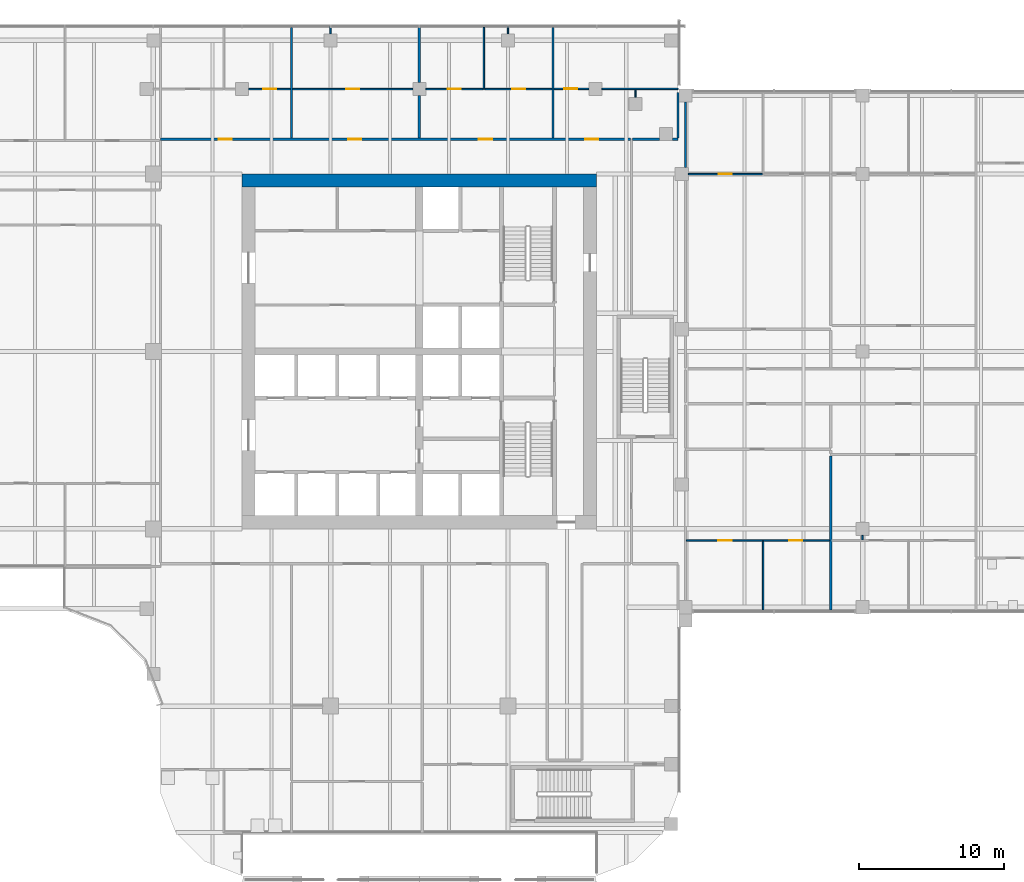
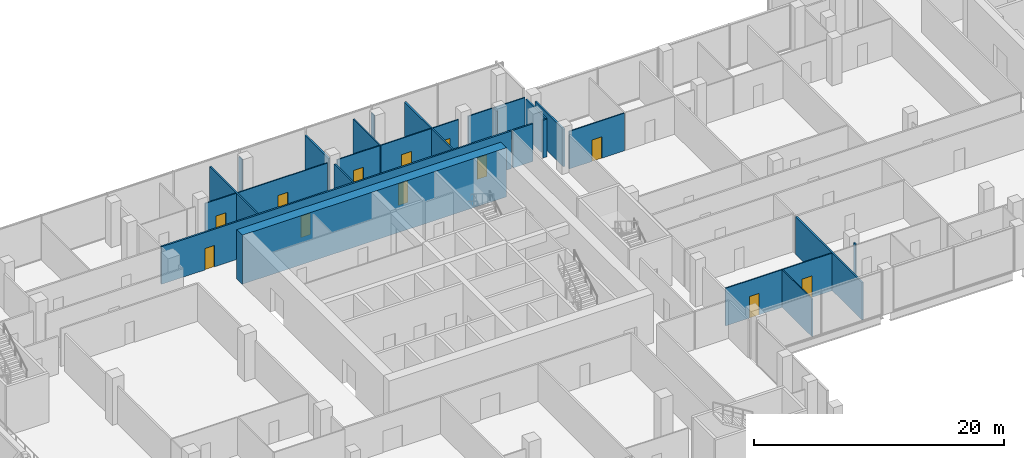
# One storey, part 25 of 33: 26 walls, 12 doors, 12 openings.
"""IFC4 building model written with IfcOpenShell, lengths in metres."""

import ifcopenshell
import ifcopenshell.guid

model = None  # the IFC model being written
_history = None  # IfcOwnerHistory: only IFC2X3 demands one
_inside = {}  # id of a spatial element -> (the spatial element, [elements in it])
_under = {}  # id of a project, library or spatial element -> (it, [spatial elements below it])
_declared = {}  # id of a project -> (the project, [libraries it declares])
_typed = {}  # id of a type object -> (the type object, [elements of that type])
_made_of = {}  # id of a material, layer set ... -> (it, [elements and type objects made of it])


def new_model(schema):
    """Start an empty IFC model of exactly this schema.

    Asked for "IFC4X3", IfcOpenShell would pick the latest addendum, in which some entities
    have other attributes; the version numbers below select the first issue.
    IFC2X3 requires an IfcOwnerHistory on every rooted entity: one is made here for all.
    """
    global model, _history
    if schema == "IFC4X3":
        model = ifcopenshell.file(schema_version=(4, 3, 0, 0))
    else:
        model = ifcopenshell.file(schema=schema)
    _inside.clear()
    _under.clear()
    _declared.clear()
    _typed.clear()
    _made_of.clear()
    _history = None
    if model.schema == "IFC2X3":
        org = make("IfcOrganization", Name="unknown")
        user = make(
            "IfcPersonAndOrganization",
            ThePerson=make("IfcPerson", FamilyName="unknown"),
            TheOrganization=org,
        )
        app = make(
            "IfcApplication",
            ApplicationDeveloper=org,
            Version="unknown",
            ApplicationFullName="unknown",
            ApplicationIdentifier="unknown",
        )
        _history = make(
            "IfcOwnerHistory",
            OwningUser=user,
            OwningApplication=app,
            ChangeAction="ADDED",
            CreationDate=0,
        )
    return model


def make(cls, **values):
    """One entity of the class cls with the attributes given. An attribute that is None is left unset."""
    return model.create_entity(
        cls, **{name: value for name, value in values.items() if value is not None}
    )


def rooted(cls, **values):
    """An entity with a GlobalId (a new one), such as an element, a storey or a relation."""
    return make(cls, GlobalId=ifcopenshell.guid.new(), OwnerHistory=_history, **values)


def si_unit(unit_type, name, prefix=None):
    """IfcSIUnit, for example si_unit("LENGTHUNIT", "METRE", prefix="MILLI")."""
    return make("IfcSIUnit", UnitType=unit_type, Prefix=prefix, Name=name)


def assignment(units):
    """IfcUnitAssignment: the units of a project."""
    return None if units is None else make("IfcUnitAssignment", Units=units)


def point(xyz):
    """IfcCartesianPoint."""
    return None if xyz is None else make("IfcCartesianPoint", Coordinates=xyz)


def direction(xyz):
    """IfcDirection."""
    return None if xyz is None else make("IfcDirection", DirectionRatios=xyz)


def frame(location, z_axis=None, x_axis=None):
    """IfcAxis2Placement3D, a coordinate frame: its origin and axes. An axis left out is left unset."""
    return make(
        "IfcAxis2Placement3D",
        Location=point(location),
        Axis=direction(z_axis),
        RefDirection=direction(x_axis),
    )


def frame_2d(location, x_axis=None):
    """IfcAxis2Placement2D, a coordinate frame in the plane: its origin and x axis."""
    return make(
        "IfcAxis2Placement2D", Location=point(location), RefDirection=direction(x_axis)
    )


def origin():
    """The frame at (0, 0, 0) with its axes left unset."""
    return frame((0.0, 0.0, 0.0))


def place(relative_to, where):
    """IfcLocalPlacement: puts the frame where relative to a parent placement (None: the world)."""
    return make(
        "IfcLocalPlacement", PlacementRelTo=relative_to, RelativePlacement=where
    )


def context(
    kind, dimensions, precision=None, world=None, true_north=None, identifier=None
):
    """IfcGeometricRepresentationContext, for example the 3D "Model" context."""
    return make(
        "IfcGeometricRepresentationContext",
        ContextIdentifier=identifier,
        ContextType=kind,
        CoordinateSpaceDimension=dimensions,
        Precision=precision,
        WorldCoordinateSystem=world,
        TrueNorth=true_north,
    )


def subcontext(parent, identifier, kind, view, scale=None):
    """IfcGeometricRepresentationSubContext, for example "Body" below "Model"."""
    return make(
        "IfcGeometricRepresentationSubContext",
        ContextIdentifier=identifier,
        ContextType=kind,
        ParentContext=parent,
        TargetScale=scale,
        TargetView=view,
    )


def project(units=None, contexts=None):
    """IfcProject with its units and contexts."""
    return rooted(
        "IfcProject",
        Name="project",
        RepresentationContexts=contexts,
        UnitsInContext=assignment(units),
    )


def spatial(cls, under=None, at=None, **own):
    """A site, building, storey or space (cls), placed at a placement, below another one or the project."""
    s = rooted(cls, ObjectPlacement=at, **own)
    if under is not None:
        _under.setdefault(under.id(), (under, []))[1].append(s)
    return s


def profile(cls, at=None, kind="AREA", **sizes):
    """A parametric profile (cls). Its sizes go by their IFC names, for example OverallWidth=200.0."""
    return make(cls, ProfileType=kind, Position=at, **sizes)


def rectangle(**sizes):
    """IfcRectangleProfileDef."""
    return profile("IfcRectangleProfileDef", **sizes)


def extrude(swept, where, along, depth):
    """IfcExtrudedAreaSolid: the profile swept, set in the frame where, extruded along a direction by depth."""
    return make(
        "IfcExtrudedAreaSolid",
        SweptArea=swept,
        Position=where,
        ExtrudedDirection=direction(along),
        Depth=depth,
    )


def shape(context_of_items, identifier, shape_type, items):
    """IfcShapeRepresentation: the items that make up one representation, for example the "Body"."""
    return make(
        "IfcShapeRepresentation",
        ContextOfItems=context_of_items,
        RepresentationIdentifier=identifier,
        RepresentationType=shape_type,
        Items=items,
    )


def source(mapping_origin, context_of_items, identifier, shape_type, items):
    """IfcRepresentationMap: a shape defined once, which mapped items show again and again."""
    return make(
        "IfcRepresentationMap",
        MappingOrigin=mapping_origin,
        MappedRepresentation=shape(context_of_items, identifier, shape_type, items),
    )


def transform(
    local_origin,
    x_axis=None,
    y_axis=None,
    z_axis=None,
    scale=None,
    scale2=None,
    scale3=None,
    uniform=True,
):
    """IfcCartesianTransformationOperator3D, or its non-uniform kind. x_axis, y_axis, z_axis: its Axis1, 2, 3."""
    if uniform:
        return make(
            "IfcCartesianTransformationOperator3D",
            Axis1=direction(x_axis),
            Axis2=direction(y_axis),
            LocalOrigin=point(local_origin),
            Scale=scale,
            Axis3=direction(z_axis),
        )
    return make(
        "IfcCartesianTransformationOperator3DnonUniform",
        Axis1=direction(x_axis),
        Axis2=direction(y_axis),
        LocalOrigin=point(local_origin),
        Scale=scale,
        Axis3=direction(z_axis),
        Scale2=scale2,
        Scale3=scale3,
    )


def mapped(mapping_source, mapping_target):
    """IfcMappedItem: shows the shape of a source again, moved by a transform."""
    return make(
        "IfcMappedItem", MappingSource=mapping_source, MappingTarget=mapping_target
    )


def material(Name=None, Category=None):
    """IfcMaterial."""
    return make("IfcMaterial", Name=Name, Category=Category)


def layer(
    of_material, thickness, ventilated=None, Name=None, Category=None, Priority=None
):
    """IfcMaterialLayer: one layer of a wall or slab, of a material (None: an air gap)."""
    return make(
        "IfcMaterialLayer",
        Material=of_material,
        LayerThickness=thickness,
        IsVentilated=ventilated,
        Name=Name,
        Category=Category,
        Priority=Priority,
    )


def layer_set(layers, Name=None):
    """IfcMaterialLayerSet."""
    return make("IfcMaterialLayerSet", MaterialLayers=layers, LayerSetName=Name)


def made_of(thing, what):
    """Note that an element or type object is made of a material, layer set ...; save() writes the relation."""
    if what is not None:
        _made_of.setdefault(what.id(), (what, []))[1].append(thing)
    return thing


def type_object(cls, material=None, **own):
    """A type object (cls), such as IfcWallType, which elements share."""
    return made_of(rooted(cls, **own), material)


def element(
    cls,
    number,
    at=None,
    inside=None,
    cuts=None,
    type_object=None,
    material=None,
    context=None,
    identifier="Body",
    shape_type=None,
    held_by="IfcProductDefinitionShape",
    body=None,
    shapes=None,
    **own,
):
    """One element of the class cls, such as IfcWall. Its Tag is "e" and its number.

    at: its placement. inside: the storey or other place that contains it. cuts: it is an
    opening in that element (IfcRelVoidsElement). A single representation is given by context,
    identifier, shape_type and body (its items); several are given by shapes. held_by: the class
    of the entity that holds the representations. save() writes the other relations.
    """
    e = rooted(cls, Tag="e%d" % number, ObjectPlacement=at, **own)
    if body is not None:
        shapes = [shape(context, identifier, shape_type, body)]
    if shapes is not None:
        e.Representation = make(held_by, Representations=shapes)
    if inside is not None:
        _inside.setdefault(inside.id(), (inside, []))[1].append(e)
    if cuts is not None:
        rooted(
            "IfcRelVoidsElement", RelatingBuildingElement=cuts, RelatedOpeningElement=e
        )
    if type_object is not None:
        _typed.setdefault(type_object.id(), (type_object, []))[1].append(e)
    return made_of(e, material)


def fill(opening, filler):
    """IfcRelFillsElement: the door or window that sits in an opening."""
    return rooted(
        "IfcRelFillsElement",
        RelatingOpeningElement=opening,
        RelatedBuildingElement=filler,
    )


def aggregate(whole, parts):
    """IfcRelAggregates: a whole, such as a stair, and the parts it consists of."""
    return rooted("IfcRelAggregates", RelatingObject=whole, RelatedObjects=parts)


def save(model, path):
    """Write the relations noted so far, then the file.

    IfcRelAggregates (storeys below a building ...), IfcRelContainedInSpatialStructure (elements
    in a storey), IfcRelDefinesByType, IfcRelAssociatesMaterial and IfcRelDeclares: one each for
    every whole, place, type object, material and project.
    """
    for whole, parts in _under.values():
        aggregate(whole, parts)
    for where, things in _inside.values():
        rooted(
            "IfcRelContainedInSpatialStructure",
            RelatedElements=things,
            RelatingStructure=where,
        )
    for kind, things in _typed.values():
        rooted("IfcRelDefinesByType", RelatedObjects=things, RelatingType=kind)
    for what, things in _made_of.values():
        rooted("IfcRelAssociatesMaterial", RelatedObjects=things, RelatingMaterial=what)
    for by, libraries in _declared.values():
        rooted("IfcRelDeclares", RelatingContext=by, RelatedDefinitions=libraries)
    model.write(path)


model = new_model("IFC4")

# Units and contexts
model_context = context("Model", 3, precision=1e-05, world=origin(), true_north=direction((0.0, 1.0)))
body_context = subcontext(model_context, "Body", "Model", "MODEL_VIEW")
ifc_project = project(units=[si_unit("LENGTHUNIT", "METRE"), si_unit("AREAUNIT", "SQUARE_METRE"), si_unit("VOLUMEUNIT", "CUBIC_METRE"), si_unit("PLANEANGLEUNIT", "RADIAN"), si_unit("MASSUNIT", "GRAM", prefix="KILO")], contexts=[model_context])

# Site, building, storey
site_placement = place(None, origin())
site = spatial("IfcSite", under=ifc_project, at=site_placement, CompositionType="ELEMENT")
building_placement = place(site_placement, origin())
building = spatial("IfcBuilding", under=site, at=building_placement, Name="Tessera Gate Towers", CompositionType="ELEMENT")
storey_placement = place(building_placement, frame((0.0, 0.0, 12.0)))
storey = spatial("IfcBuildingStorey", under=building, at=storey_placement, Name="L02", CompositionType="ELEMENT", Elevation=12.0)

# Wall
ifc_material_1 = material(Name="Concrete C70/85", Category="concrete")
ifc_layer_1 = layer(ifc_material_1, 0.89990234375)
ifc_layer_set_1 = layer_set([ifc_layer_1], Name="CORE SHEAR WALL 900 C70/85")
wall_type_1 = type_object("IfcWallType", Name="CORE SHEAR WALL 900 C70/85", PredefinedType="SHEAR", material=ifc_layer_set_1)
wall_1_placement = place(storey_placement, frame((30.5, 48.35009765625, 0.0), z_axis=(0.0, 0.0, 1.0), x_axis=(1.0, 0.0, 0.0)))
element("IfcWall", 1, at=wall_1_placement, inside=storey, type_object=wall_type_1, Name="Core wall N L02", PredefinedType="SHEAR", context=body_context, shape_type="SweptSolid", body=[
    extrude(rectangle(XDim=24.39990234375, YDim=0.89990234375, at=frame_2d((12.199951171875, 0.0))), origin(), (0.0, 0.0, 1.0), 4.800048828125),
])

# Wall, openings, doors
ifc_material_2 = material(Name="Gypsum board on steel studs, mineral wool", Category="steel")
ifc_layer_2 = layer(ifc_material_2, 0.14990234375)
ifc_layer_set_2 = layer_set([ifc_layer_2], Name="CORRIDOR WALL 150")
wall_type_2 = type_object("IfcWallType", Name="CORRIDOR WALL 150", PredefinedType="PARTITIONING", material=ifc_layer_set_2)
wall_2_placement = place(storey_placement, frame((24.89990234375, 51.199951171875, 0.0), z_axis=(0.0, 0.0, 1.0), x_axis=(1.0, 0.0, 0.0)))
wall_2 = element("IfcWall", 2, at=wall_2_placement, inside=storey, type_object=wall_type_2, Name="PODIUM-L02-PW-107", PredefinedType="PARTITIONING", context=body_context, shape_type="SweptSolid", body=[
    extrude(rectangle(XDim=32.32421875, YDim=0.14990234375, at=frame_2d((16.162109375, 0.0))), origin(), (0.0, 0.0, 1.0), 3.672119140625),
])
shared_shape_1 = source(origin(), body_context, "Body", "SweptSolid", [
    extrude(rectangle(XDim=0.89990234375, YDim=2.10009765625, at=frame_2d((0.449951171875, 1.050048828125))), frame((0.0, 0.0849609375, 0.0), z_axis=(0.0, -1.0, 0.0), x_axis=(1.0, 0.0, 0.0)), (0.0, 0.0, 1.0), 0.169921875),
])
opening_1_placement = place(wall_2_placement, frame((29.200927734375, 0.0, 0.0)))
opening_1 = element("IfcOpeningElement", 3, at=opening_1_placement, cuts=wall_2, Name="Opening D890FD60-P03-01", PredefinedType="OPENING", context=body_context, shape_type="MappedRepresentation", body=[
    mapped(shared_shape_1, transform((0.0, 0.0, 0.0), scale=1.0)),
])
opening_2_placement = place(wall_2_placement, frame((12.90087890625, 0.0, 0.0)))
opening_2 = element("IfcOpeningElement", 4, at=opening_2_placement, cuts=wall_2, Name="Opening D890FD60-P03-02", PredefinedType="OPENING", context=body_context, shape_type="MappedRepresentation", body=[
    mapped(shared_shape_1, transform((0.0, 0.0, 0.0), scale=1.0)),
])
opening_3_placement = place(wall_2_placement, frame((4.0, 0.0, 0.0)))
opening_3 = element("IfcOpeningElement", 5, at=opening_3_placement, cuts=wall_2, Name="Opening D890FD60-P03-04", PredefinedType="OPENING", context=body_context, shape_type="MappedRepresentation", body=[
    mapped(shared_shape_1, transform((0.0, 0.0, 0.0), scale=1.0)),
])
opening_4_placement = place(wall_2_placement, frame((21.89990234375, 0.0, 0.0)))
opening_4 = element("IfcOpeningElement", 6, at=opening_4_placement, cuts=wall_2, Name="Opening D890FD60-P03-05", PredefinedType="OPENING", context=body_context, shape_type="MappedRepresentation", body=[
    mapped(shared_shape_1, transform((0.0, 0.0, 0.0), scale=1.0)),
])
ifc_material_3 = material(Name="Timber door leaf in steel frame", Category="steel")
door_type_1 = type_object("IfcDoorType", Name="CORRIDOR DOOR 900 FD60", OperationType="NOTDEFINED", PredefinedType="DOOR", material=ifc_material_3)
shared_shape_2 = source(origin(), body_context, "Body", "SweptSolid", [
    extrude(rectangle(XDim=0.89990234375, YDim=2.10009765625, at=frame_2d((0.449951171875, 1.050048828125))), frame((0.0, 0.02490234375, 0.0), z_axis=(0.0, -1.0, 0.0), x_axis=(1.0, 0.0, 0.0)), (0.0, 0.0, 1.0), 0.050048828125),
])
door_1_placement = place(opening_1_placement, origin())
door_1 = element("IfcDoor", 7, at=door_1_placement, inside=storey, type_object=door_type_1, Name="PODIUM-L02-PD-026", OperationType="SINGLE_SWING_LEFT", OverallHeight=2.10009765625, OverallWidth=0.89990234375, PredefinedType="DOOR", context=body_context, shape_type="MappedRepresentation", body=[
    mapped(shared_shape_2, transform((0.0, 0.0, 0.0), scale=1.0)),
])
fill(opening_1, door_1)
door_2_placement = place(opening_2_placement, origin())
door_2 = element("IfcDoor", 8, at=door_2_placement, inside=storey, type_object=door_type_1, Name="PODIUM-L02-PD-036", OperationType="SINGLE_SWING_LEFT", OverallHeight=2.10009765625, OverallWidth=0.89990234375, PredefinedType="DOOR", context=body_context, shape_type="MappedRepresentation", body=[
    mapped(shared_shape_2, transform((0.0, 0.0, 0.0), scale=1.0)),
])
fill(opening_2, door_2)
door_3_placement = place(opening_3_placement, origin())
door_3 = element("IfcDoor", 9, at=door_3_placement, inside=storey, type_object=door_type_1, Name="PODIUM-L02-PD-042", OperationType="SINGLE_SWING_LEFT", OverallHeight=2.10009765625, OverallWidth=0.89990234375, PredefinedType="DOOR", context=body_context, shape_type="MappedRepresentation", body=[
    mapped(shared_shape_2, transform((0.0, 0.0, 0.0), scale=1.0)),
])
fill(opening_3, door_3)
door_4_placement = place(opening_4_placement, origin())
door_4 = element("IfcDoor", 10, at=door_4_placement, inside=storey, type_object=door_type_1, Name="PODIUM-L02-PD-043", OperationType="SINGLE_SWING_LEFT", OverallHeight=2.10009765625, OverallWidth=0.89990234375, PredefinedType="DOOR", context=body_context, shape_type="MappedRepresentation", body=[
    mapped(shared_shape_2, transform((0.0, 0.0, 0.0), scale=1.0)),
])
fill(opening_4, door_4)

# Wall, opening, door
ifc_material_4 = material(Name="Glass", Category="glass")
ifc_layer_3 = layer(ifc_material_4, 0.10009765625)
ifc_layer_set_3 = layer_set([ifc_layer_3], Name="GLAZED PARTITION 100")
wall_type_3 = type_object("IfcWallType", Name="GLAZED PARTITION 100", PredefinedType="PARTITIONING", material=ifc_layer_set_3)
wall_3_placement = place(storey_placement, frame((30.950927734375, 54.64990234375, 0.0), z_axis=(0.0, 0.0, 1.0), x_axis=(1.0, 0.0, 0.0)))
wall_3 = element("IfcWall", 11, at=wall_3_placement, inside=storey, type_object=wall_type_3, Name="PODIUM-L02-PW-126", PredefinedType="PARTITIONING", context=body_context, shape_type="SweptSolid", body=[
    extrude(rectangle(XDim=2.873046875, YDim=0.10009765625, at=frame_2d((1.4365234375, 0.0))), origin(), (0.0, 0.0, 1.0), 3.672119140625),
])
shared_shape_3 = source(origin(), body_context, "Body", "SweptSolid", [
    extrude(rectangle(XDim=0.89990234375, YDim=2.10009765625, at=frame_2d((0.449951171875, 1.050048828125))), frame((0.0, 0.06005859375, 0.0), z_axis=(0.0, -1.0, 0.0), x_axis=(1.0, 0.0, 0.0)), (0.0, 0.0, 1.0), 0.1201171875),
])
opening_5_placement = place(wall_3_placement, frame((1.0, 0.0, 0.0)))
opening_5 = element("IfcOpeningElement", 12, at=opening_5_placement, cuts=wall_3, Name="Opening D690-P03-01", PredefinedType="OPENING", context=body_context, shape_type="MappedRepresentation", body=[
    mapped(shared_shape_3, transform((0.0, 0.0, 0.0), scale=1.0)),
])
ifc_material_5 = material(Name="Glass in aluminium frame", Category="aluminium")
door_type_2 = type_object("IfcDoorType", Name="GLAZED DOOR 900 NOT RATED", OperationType="NOTDEFINED", PredefinedType="DOOR", material=ifc_material_5)
door_5_placement = place(opening_5_placement, origin())
door_5 = element("IfcDoor", 13, at=door_5_placement, inside=storey, type_object=door_type_2, Name="PODIUM-L02-PD-002", OperationType="SINGLE_SWING_LEFT", OverallHeight=2.10009765625, OverallWidth=0.89990234375, PredefinedType="DOOR", context=body_context, shape_type="MappedRepresentation", body=[
    mapped(shared_shape_2, transform((0.0, 0.0, 0.0), scale=1.0)),
])
fill(opening_5, door_5)

wall_4_placement = place(storey_placement, frame((33.97607421875, 54.64990234375, 0.0), z_axis=(0.0, 0.0, 1.0), x_axis=(1.0, 0.0, 0.0)))
wall_4 = element("IfcWall", 14, at=wall_4_placement, inside=storey, type_object=wall_type_3, Name="PODIUM-L02-PW-127", PredefinedType="PARTITIONING", context=body_context, shape_type="SweptSolid", body=[
    extrude(rectangle(XDim=8.27294921875, YDim=0.10009765625, at=frame_2d((4.136474609375, 0.0))), origin(), (0.0, 0.0, 1.0), 3.672119140625),
])
opening_6_placement = place(wall_4_placement, frame((3.699951171875, 0.0, 0.0)))
opening_6 = element("IfcOpeningElement", 15, at=opening_6_placement, cuts=wall_4, Name="Opening D690-P03-12", PredefinedType="OPENING", context=body_context, shape_type="MappedRepresentation", body=[
    mapped(shared_shape_3, transform((0.0, 0.0, 0.0), scale=1.0)),
])
door_6_placement = place(opening_6_placement, origin())
door_6 = element("IfcDoor", 16, at=door_6_placement, inside=storey, type_object=door_type_2, Name="PODIUM-L02-PD-035", OperationType="SINGLE_SWING_LEFT", OverallHeight=2.10009765625, OverallWidth=0.89990234375, PredefinedType="DOOR", context=body_context, shape_type="MappedRepresentation", body=[
    mapped(shared_shape_2, transform((0.0, 0.0, 0.0), scale=1.0)),
])
fill(opening_6, door_6)

wall_5_placement = place(storey_placement, frame((43.15087890625, 54.64990234375, 0.0), z_axis=(0.0, 0.0, 1.0), x_axis=(1.0, 0.0, 0.0)))
wall_5 = element("IfcWall", 17, at=wall_5_placement, inside=storey, type_object=wall_type_3, Name="PODIUM-L02-PW-128", PredefinedType="PARTITIONING", context=body_context, shape_type="SweptSolid", body=[
    extrude(rectangle(XDim=3.942626953125, YDim=0.10009765625, at=frame_2d((1.97119140625, 0.0))), origin(), (0.0, 0.0, 1.0), 3.672119140625),
])
opening_7_placement = place(wall_5_placement, frame((1.5, 0.0, 0.0)))
opening_7 = element("IfcOpeningElement", 18, at=opening_7_placement, cuts=wall_5, Name="Opening D690-P03-03", PredefinedType="OPENING", context=body_context, shape_type="MappedRepresentation", body=[
    mapped(shared_shape_3, transform((0.0, 0.0, 0.0), scale=1.0)),
])
door_7_placement = place(opening_7_placement, origin())
door_7 = element("IfcDoor", 19, at=door_7_placement, inside=storey, type_object=door_type_2, Name="PODIUM-L02-PD-004", OperationType="SINGLE_SWING_LEFT", OverallHeight=2.10009765625, OverallWidth=0.89990234375, PredefinedType="DOOR", context=body_context, shape_type="MappedRepresentation", body=[
    mapped(shared_shape_2, transform((0.0, 0.0, 0.0), scale=1.0)),
])
fill(opening_7, door_7)

wall_6_placement = place(storey_placement, frame((47.1953125, 54.64990234375, 0.0), z_axis=(0.0, 0.0, 1.0), x_axis=(1.0, 0.0, 0.0)))
wall_6 = element("IfcWall", 20, at=wall_6_placement, inside=storey, type_object=wall_type_3, Name="PODIUM-L02-PW-130", PredefinedType="PARTITIONING", context=body_context, shape_type="SweptSolid", body=[
    extrude(rectangle(XDim=4.628662109375, YDim=0.10009765625, at=frame_2d((2.314453125, 0.0))), origin(), (0.0, 0.0, 1.0), 3.672119140625),
])
opening_8_placement = place(wall_6_placement, frame((1.89990234375, 0.0, 0.0)))
opening_8 = element("IfcOpeningElement", 21, at=opening_8_placement, cuts=wall_6, Name="Opening D690-P03-07", PredefinedType="OPENING", context=body_context, shape_type="MappedRepresentation", body=[
    mapped(shared_shape_3, transform((0.0, 0.0, 0.0), scale=1.0)),
])
door_8_placement = place(opening_8_placement, origin())
door_8 = element("IfcDoor", 22, at=door_8_placement, inside=storey, type_object=door_type_2, Name="PODIUM-L02-PD-019", OperationType="SINGLE_SWING_LEFT", OverallHeight=2.10009765625, OverallWidth=0.89990234375, PredefinedType="DOOR", context=body_context, shape_type="MappedRepresentation", body=[
    mapped(shared_shape_2, transform((0.0, 0.0, 0.0), scale=1.0)),
])
fill(opening_8, door_8)

wall_7_placement = place(storey_placement, frame((51.97607421875, 54.6669921875, 0.0), z_axis=(0.0, 0.0, 1.0), x_axis=(1.0, 0.0, 0.0)))
wall_7 = element("IfcWall", 23, at=wall_7_placement, inside=storey, type_object=wall_type_3, Name="PODIUM-L02-PW-132", PredefinedType="PARTITIONING", context=body_context, shape_type="SweptSolid", body=[
    extrude(rectangle(XDim=2.3828125, YDim=0.10009765625, at=frame_2d((1.19140625, 0.0))), origin(), (0.0, 0.0, 1.0), 3.672119140625),
])
opening_9_placement = place(wall_7_placement, frame((0.699951171875, 0.0, 0.0)))
opening_9 = element("IfcOpeningElement", 24, at=opening_9_placement, cuts=wall_7, Name="Opening D690-P03-11", PredefinedType="OPENING", context=body_context, shape_type="MappedRepresentation", body=[
    mapped(shared_shape_3, transform((0.0, 0.0, 0.0), scale=1.0)),
])
door_9_placement = place(opening_9_placement, origin())
door_9 = element("IfcDoor", 25, at=door_9_placement, inside=storey, type_object=door_type_2, Name="PODIUM-L02-PD-034", OperationType="SINGLE_SWING_LEFT", OverallHeight=2.10009765625, OverallWidth=0.89990234375, PredefinedType="DOOR", context=body_context, shape_type="MappedRepresentation", body=[
    mapped(shared_shape_2, transform((0.0, 0.0, 0.0), scale=1.0)),
])
fill(opening_9, door_9)

# Walls
wall_8_placement = place(storey_placement, frame((55.260986328125, 54.6669921875, 0.0), z_axis=(0.0, 0.0, 1.0), x_axis=(1.0, 0.0, 0.0)))
element("IfcWall", 26, at=wall_8_placement, inside=storey, type_object=wall_type_3, Name="PODIUM-L02-PW-133", PredefinedType="PARTITIONING", context=body_context, shape_type="SweptSolid", body=[
    extrude(rectangle(XDim=5.239013671875, YDim=0.10009765625, at=frame_2d((2.61962890625, 0.0))), origin(), (0.0, 0.0, 1.0), 3.672119140625),
])
ifc_material_6 = material(Name="Gypsum board on steel studs", Category="steel")
ifc_layer_4 = layer(ifc_material_6, 0.10009765625)
ifc_layer_set_4 = layer_set([ifc_layer_4], Name="PARTITION 100")
wall_type_4 = type_object("IfcWallType", Name="PARTITION 100", PredefinedType="PARTITIONING", material=ifc_layer_set_4)
wall_9_placement = place(storey_placement, frame((66.35009765625, 18.800048828125, 0.0), z_axis=(0.0, 0.0, 1.0), x_axis=(0.0, 1.0, 0.0)))
element("IfcWall", 27, at=wall_9_placement, inside=storey, type_object=wall_type_4, Name="PODIUM-L02-PW-016", PredefinedType="PARTITIONING", context=body_context, shape_type="SweptSolid", body=[
    extrude(rectangle(XDim=4.73486328125, YDim=0.10009765625, at=frame_2d((2.367431640625, 0.0))), origin(), (0.0, 0.0, 1.0), 3.672119140625),
])

# Wall, openings, doors
wall_10_placement = place(storey_placement, frame((70.924072265625, 23.5859375, 0.0), z_axis=(0.0, 0.0, 1.0), x_axis=(-1.0, 0.0, 0.0)))
wall_10 = element("IfcWall", 28, at=wall_10_placement, inside=storey, type_object=wall_type_4, Name="PODIUM-L02-PW-041", PredefinedType="PARTITIONING", context=body_context, shape_type="SweptSolid", body=[
    extrude(rectangle(XDim=9.84814453125, YDim=0.10009765625, at=frame_2d((4.924072265625, 0.0))), origin(), (0.0, 0.0, 1.0), 3.672119140625),
])
opening_10_placement = place(wall_10_placement, frame((1.873046875, 0.0, 0.0)))
opening_10 = element("IfcOpeningElement", 29, at=opening_10_placement, cuts=wall_10, Name="Opening D190-P03-08", PredefinedType="OPENING", context=body_context, shape_type="MappedRepresentation", body=[
    mapped(shared_shape_3, transform((0.0, 0.0, 0.0), scale=1.0)),
])
opening_11_placement = place(wall_10_placement, frame((6.748046875, 0.0, 0.0)))
opening_11 = element("IfcOpeningElement", 30, at=opening_11_placement, cuts=wall_10, Name="Opening D190-P03-15", PredefinedType="OPENING", context=body_context, shape_type="MappedRepresentation", body=[
    mapped(shared_shape_3, transform((0.0, 0.0, 0.0), scale=1.0)),
])
ifc_material_7 = material(Name="Timber door leaf in steel frame", Category="steel")
door_type_3 = type_object("IfcDoorType", Name="INTERNAL DOOR 900 NOT RATED", OperationType="NOTDEFINED", PredefinedType="DOOR", material=ifc_material_7)
door_10_placement = place(opening_10_placement, origin())
door_10 = element("IfcDoor", 31, at=door_10_placement, inside=storey, type_object=door_type_3, Name="PODIUM-L02-PD-016", OperationType="SINGLE_SWING_RIGHT", OverallHeight=2.10009765625, OverallWidth=0.89990234375, PredefinedType="DOOR", context=body_context, shape_type="MappedRepresentation", body=[
    mapped(shared_shape_2, transform((0.0, 0.0, 0.0), scale=1.0)),
])
fill(opening_10, door_10)
door_11_placement = place(opening_11_placement, origin())
door_11 = element("IfcDoor", 32, at=door_11_placement, inside=storey, type_object=door_type_3, Name="PODIUM-L02-PD-025", OperationType="SINGLE_SWING_RIGHT", OverallHeight=2.10009765625, OverallWidth=0.89990234375, PredefinedType="DOOR", context=body_context, shape_type="MappedRepresentation", body=[
    mapped(shared_shape_2, transform((0.0, 0.0, 0.0), scale=1.0)),
])
fill(opening_11, door_11)

# Wall
wall_11_placement = place(storey_placement, frame((73.199951171875, 23.949951171875, 0.0), z_axis=(0.0, 0.0, 1.0), x_axis=(0.0, -1.0, 0.0)))
element("IfcWall", 33, at=wall_11_placement, inside=storey, type_object=wall_type_4, Name="PODIUM-L02-PW-043", PredefinedType="PARTITIONING", context=body_context, shape_type="SweptSolid", body=[
    extrude(rectangle(XDim=0.31396484375, YDim=0.10009765625, at=frame_2d((0.156982421875, 0.0))), origin(), (0.0, 0.0, 1.0), 3.672119140625),
])

# Wall, opening, door
wall_12_placement = place(storey_placement, frame((61.200927734375, 48.800048828125, 0.0), z_axis=(0.0, 0.0, 1.0), x_axis=(1.0, 0.0, 0.0)))
wall_12 = element("IfcWall", 34, at=wall_12_placement, inside=storey, type_object=wall_type_4, Name="PODIUM-L02-PW-092", PredefinedType="PARTITIONING", context=body_context, shape_type="SweptSolid", body=[
    extrude(rectangle(XDim=5.09814453125, YDim=0.10009765625, at=frame_2d((2.549072265625, 0.0))), origin(), (0.0, 0.0, 1.0), 3.672119140625),
])
opening_12_placement = place(wall_12_placement, frame((2.10009765625, 0.0, 0.0)))
opening_12 = element("IfcOpeningElement", 35, at=opening_12_placement, cuts=wall_12, Name="Opening D190-P03-13", PredefinedType="OPENING", context=body_context, shape_type="MappedRepresentation", body=[
    mapped(shared_shape_3, transform((0.0, 0.0, 0.0), scale=1.0)),
])
door_12_placement = place(opening_12_placement, origin())
door_12 = element("IfcDoor", 36, at=door_12_placement, inside=storey, type_object=door_type_3, Name="PODIUM-L02-PD-023", OperationType="SINGLE_SWING_LEFT", OverallHeight=2.10009765625, OverallWidth=0.89990234375, PredefinedType="DOOR", context=body_context, shape_type="MappedRepresentation", body=[
    mapped(shared_shape_2, transform((0.0, 0.0, 0.0), scale=1.0)),
])
fill(opening_12, door_12)

# Walls
wall_13_placement = place(storey_placement, frame((57.569091796875, 54.075927734375, 0.0), z_axis=(0.0, 0.0, 1.0), x_axis=(0.0, 1.0, 0.0)))
element("IfcWall", 37, at=wall_13_placement, inside=storey, type_object=wall_type_4, Name="PODIUM-L02-PW-120", PredefinedType="PARTITIONING", context=body_context, shape_type="SweptSolid", body=[
    extrude(rectangle(XDim=0.541015625, YDim=0.10009765625, at=frame_2d((0.2705078125, 0.0))), origin(), (0.0, 0.0, 1.0), 3.672119140625),
])
wall_14_placement = place(storey_placement, frame((47.14404296875, 54.64990234375, 0.0), z_axis=(0.0, 0.0, 1.0), x_axis=(0.0, 1.0, 0.0)))
element("IfcWall", 38, at=wall_14_placement, inside=storey, type_object=wall_type_4, Name="PODIUM-L02-PW-129", PredefinedType="PARTITIONING", context=body_context, shape_type="SweptSolid", body=[
    extrude(rectangle(XDim=4.25, YDim=0.10009765625, at=frame_2d((2.125, 0.0))), origin(), (0.0, 0.0, 1.0), 3.672119140625),
])
for number, where, z_axis, x_axis, name in (
    (39, (36.60009765625, 58.449951171875, 0.0), (0.0, 0.0, 1.0), (0.0, 1.0, 0.0), "PODIUM-L02-PW-137"),
    (40, (48.800048828125, 58.449951171875, 0.0), (0.0, 0.0, 1.0), (0.0, 1.0, 0.0), "PODIUM-L02-PW-138"),
):
    element("IfcWall", number, at=place(storey_placement, frame(where, z_axis=z_axis, x_axis=x_axis)), inside=storey, type_object=wall_type_4, Name=name, PredefinedType="PARTITIONING", context=body_context, shape_type="SweptSolid", body=[
        extrude(rectangle(XDim=0.5, YDim=0.10009765625, at=frame_2d((0.25, 0.0))), origin(), (0.0, 0.0, 1.0), 3.672119140625),
    ])
ifc_material_8 = material(Name="Gypsum board on steel studs, mineral wool", Category="steel")
ifc_layer_5 = layer(ifc_material_8, 0.14990234375)
ifc_layer_set_5 = layer_set([ifc_layer_5], Name="TENANCY WALL 150")
wall_type_5 = type_object("IfcWallType", Name="TENANCY WALL 150", PredefinedType="PARTITIONING", material=ifc_layer_set_5)
wall_15_placement = place(storey_placement, frame((71.0, 18.800048828125, 0.0), z_axis=(0.0, 0.0, 1.0), x_axis=(0.0, 1.0, 0.0)))
element("IfcWall", 41, at=wall_15_placement, inside=storey, type_object=wall_type_5, Name="PODIUM-L02-PW-017", PredefinedType="PARTITIONING", context=body_context, shape_type="SweptSolid", body=[
    extrude(rectangle(XDim=10.6240234375, YDim=0.14990234375, at=frame_2d((5.31201171875, 0.0))), origin(), (0.0, 0.0, 1.0), 3.672119140625),
])
wall_16_placement = place(storey_placement, frame((61.0, 49.2509765625, 0.0), z_axis=(0.0, 0.0, 1.0), x_axis=(0.0, 1.0, 0.0)))
element("IfcWall", 42, at=wall_16_placement, inside=storey, type_object=wall_type_5, Name="PODIUM-L02-PW-100", PredefinedType="PARTITIONING", context=body_context, shape_type="SweptSolid", body=[
    extrude(rectangle(XDim=4.498046875, YDim=0.14990234375, at=frame_2d((2.2490234375, 0.0))), origin(), (0.0, 0.0, 1.0), 3.672119140625),
])
wall_17_placement = place(storey_placement, frame((57.3759765625, 51.199951171875, 0.0), z_axis=(0.0, 0.0, 1.0), x_axis=(1.0, 0.0, 0.0)))
element("IfcWall", 43, at=wall_17_placement, inside=storey, type_object=wall_type_5, Name="PODIUM-L02-PW-108", PredefinedType="PARTITIONING", context=body_context, shape_type="SweptSolid", body=[
    extrude(rectangle(XDim=1.842041015625, YDim=0.14990234375, at=frame_2d((0.9208984375, 0.0))), origin(), (0.0, 0.0, 1.0), 3.672119140625),
])
wall_18_placement = place(storey_placement, frame((60.1201171875, 51.199951171875, 0.0), z_axis=(0.0, 0.0, 1.0), x_axis=(1.0, 0.0, 0.0)))
element("IfcWall", 44, at=wall_18_placement, inside=storey, type_object=wall_type_5, Name="PODIUM-L02-PW-109", PredefinedType="PARTITIONING", context=body_context, shape_type="SweptSolid", body=[
    extrude(rectangle(XDim=0.3798828125, YDim=0.14990234375, at=frame_2d((0.18994140625, 0.0))), origin(), (0.0, 0.0, 1.0), 3.672119140625),
])
wall_19_placement = place(storey_placement, frame((33.89990234375, 51.27587890625, 0.0), z_axis=(0.0, 0.0, 1.0), x_axis=(0.0, 1.0, 0.0)))
element("IfcWall", 45, at=wall_19_placement, inside=storey, type_object=wall_type_5, Name="PODIUM-L02-PW-113", PredefinedType="PARTITIONING", context=body_context, shape_type="SweptSolid", body=[
    extrude(rectangle(XDim=7.6240234375, YDim=0.14990234375, at=frame_2d((3.81201171875, 0.0))), origin(), (0.0, 0.0, 1.0), 3.672119140625),
])
wall_20_placement = place(storey_placement, frame((42.699951171875, 51.27587890625, 0.0), z_axis=(0.0, 0.0, 1.0), x_axis=(0.0, 1.0, 0.0)))
element("IfcWall", 46, at=wall_20_placement, inside=storey, type_object=wall_type_5, Name="PODIUM-L02-PW-114", PredefinedType="PARTITIONING", context=body_context, shape_type="SweptSolid", body=[
    extrude(rectangle(XDim=2.923095703125, YDim=0.14990234375, at=frame_2d((1.46142578125, 0.0))), origin(), (0.0, 0.0, 1.0), 3.672119140625),
])
wall_21_placement = place(storey_placement, frame((51.89990234375, 51.27587890625, 0.0), z_axis=(0.0, 0.0, 1.0), x_axis=(0.0, 1.0, 0.0)))
element("IfcWall", 47, at=wall_21_placement, inside=storey, type_object=wall_type_5, Name="PODIUM-L02-PW-115", PredefinedType="PARTITIONING", context=body_context, shape_type="SweptSolid", body=[
    extrude(rectangle(XDim=3.3740234375, YDim=0.14990234375, at=frame_2d((1.68701171875, 0.0))), origin(), (0.0, 0.0, 1.0), 3.672119140625),
])
wall_22_placement = place(storey_placement, frame((60.5, 51.27587890625, 0.0), z_axis=(0.0, 0.0, 1.0), x_axis=(0.0, 1.0, 0.0)))
element("IfcWall", 48, at=wall_22_placement, inside=storey, type_object=wall_type_5, Name="PODIUM-L02-PW-116", PredefinedType="PARTITIONING", context=body_context, shape_type="SweptSolid", body=[
    extrude(rectangle(XDim=3.1240234375, YDim=0.14990234375, at=frame_2d((1.56201171875, 0.0))), origin(), (0.0, 0.0, 1.0), 3.672119140625),
])
wall_23_placement = place(storey_placement, frame((51.89990234375, 54.6669921875, 0.0), z_axis=(0.0, 0.0, 1.0), x_axis=(0.0, 1.0, 0.0)))
element("IfcWall", 49, at=wall_23_placement, inside=storey, type_object=wall_type_5, Name="PODIUM-L02-PW-131", PredefinedType="PARTITIONING", context=body_context, shape_type="SweptSolid", body=[
    extrude(rectangle(XDim=4.23291015625, YDim=0.14990234375, at=frame_2d((2.116455078125, 0.0))), origin(), (0.0, 0.0, 1.0), 3.672119140625),
])
wall_24_placement = place(storey_placement, frame((42.699951171875, 55.10107421875, 0.0), z_axis=(0.0, 0.0, 1.0), x_axis=(0.0, 1.0, 0.0)))
element("IfcWall", 50, at=wall_24_placement, inside=storey, type_object=wall_type_5, Name="PODIUM-L02-PW-135", PredefinedType="PARTITIONING", context=body_context, shape_type="SweptSolid", body=[
    extrude(rectangle(XDim=3.798828125, YDim=0.14990234375, at=frame_2d((1.8994140625, 0.0))), origin(), (0.0, 0.0, 1.0), 3.672119140625),
])

save(model, "model.ifc")
